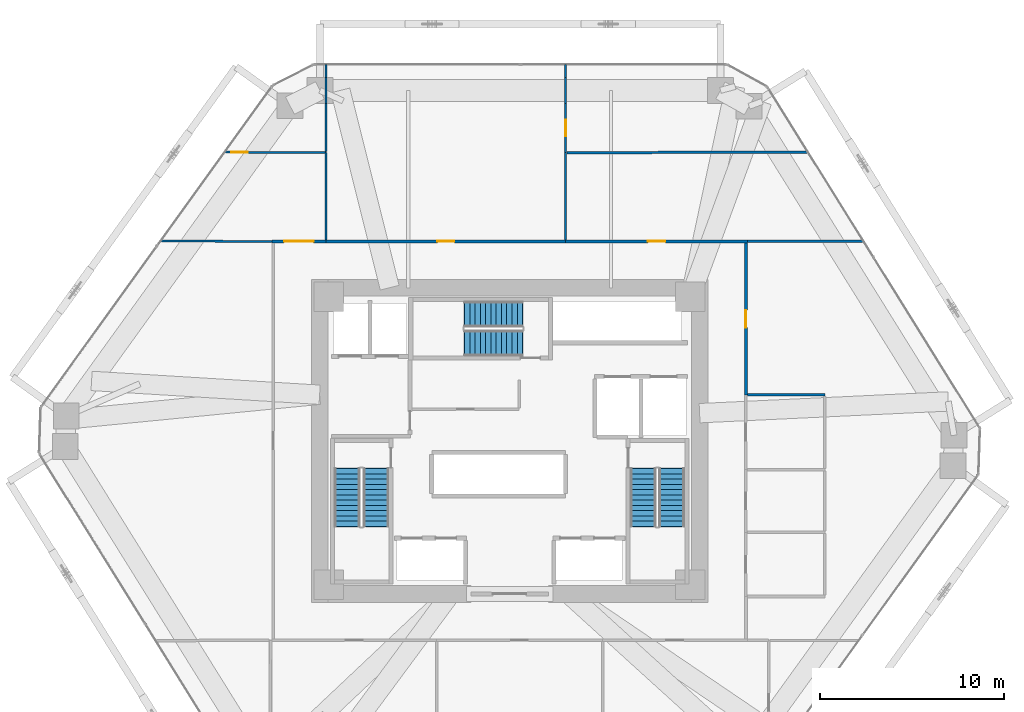
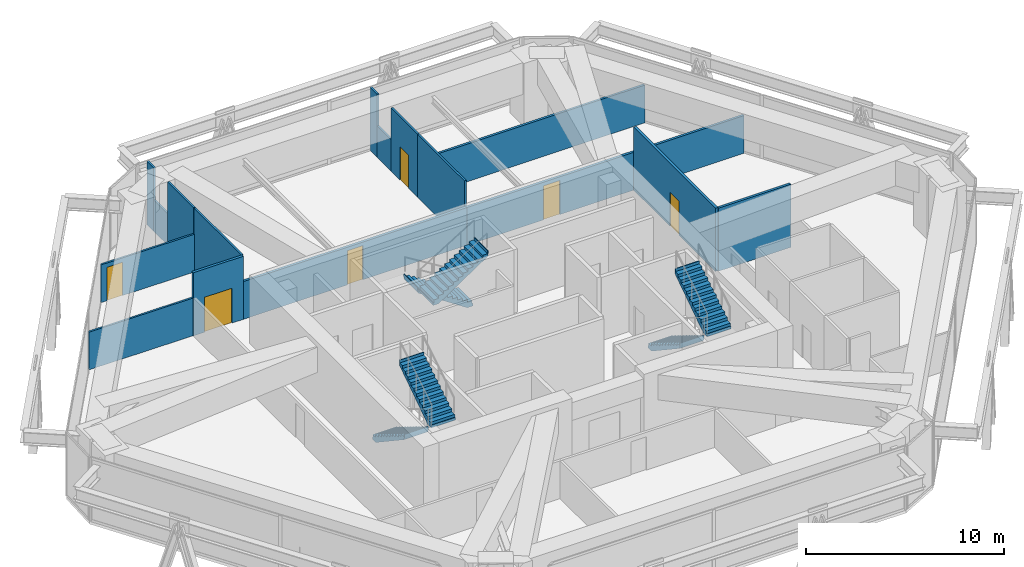
# One storey, part 15 of 16: 17 walls, 6 doors, 6 stair flights, 6 openings, 3 elements without a shape of their own.
"""IFC4 building model written with IfcOpenShell, lengths in metres."""

from ifc_helpers import new_model, si_unit, direction, frame, frame_2d, origin, place, context, subcontext, project, spatial, polyline, rectangle, outline, extrude, source, transform, mapped, material, layer, layer_set, type_object, type_shapes, element, fill, aggregate, save


model = new_model("IFC4")

# Units and contexts
model_context = context("Model", 3, precision=1e-05, world=origin(), true_north=direction((0.0, 1.0)))
body_context = subcontext(model_context, "Body", "Model", "MODEL_VIEW")
ifc_project = project(units=[si_unit("LENGTHUNIT", "METRE"), si_unit("AREAUNIT", "SQUARE_METRE"), si_unit("VOLUMEUNIT", "CUBIC_METRE"), si_unit("PLANEANGLEUNIT", "RADIAN"), si_unit("MASSUNIT", "GRAM", prefix="KILO")], contexts=[model_context])

# Site, building, storey
site_placement = place(None, origin())
site = spatial("IfcSite", under=ifc_project, at=site_placement, CompositionType="ELEMENT")
building_placement = place(site_placement, origin())
building = spatial("IfcBuilding", under=site, at=building_placement, Name="Durnholm Broadcast Tower", CompositionType="ELEMENT")
storey_placement = place(building_placement, frame((0.0, 0.0, 84.300048828125)))
storey = spatial("IfcBuildingStorey", under=building, at=storey_placement, Name="L22", CompositionType="ELEMENT", Elevation=84.300048828125)

# Wall, opening, door
ifc_material_1 = material(Name="Operable Acoustic Panel Partition", Category="aluminium")
ifc_layer_1 = layer(ifc_material_1, 0.110107421875)
ifc_layer_set_1 = layer_set([ifc_layer_1], Name="Operable Acoustic Panel Partition")
wall_type_1 = type_object("IfcWallType", Name="WALL-MOV-110", PredefinedType="MOVABLE", material=ifc_layer_set_1)
wall_1_placement = place(storey_placement, frame((-15.4501953125, 15.6484375, 0.0), z_axis=(0.0, 0.0, 1.0), x_axis=(0.999990888186, -0.004268904539, 0.0)))
wall_1 = element("IfcWall", 1, at=wall_1_placement, inside=storey, type_object=wall_type_1, Name="L22 room dividing partition 5.6", PredefinedType="MOVABLE", context=body_context, shape_type="SweptSolid", body=[
    extrude(rectangle(XDim=5.490234375, YDim=0.110107421875, at=frame_2d((2.7451171875, 0.0))), origin(), (0.0, 0.0, 1.0), 2.320068359375),
])
opening_1_placement = place(wall_1_placement, frame((0.35009765625, 0.0, 0.0)))
opening_1 = element("IfcOpeningElement", 2, at=opening_1_placement, cuts=wall_1, Name="Opening DW-90L", PredefinedType="OPENING", context=body_context, shape_type="SweptSolid", body=[
    extrude(rectangle(XDim=0.89990234375, YDim=2.050048828125, at=frame_2d((0.449951171875, 1.02490234375))), frame((0.0, 0.06494140625, 0.0), z_axis=(0.0, -1.0, 0.0), x_axis=(1.0, 0.0, 0.0)), (0.0, 0.0, 1.0), 0.130126953125),
])
ifc_material_2 = material(Name="Laminate Restroom Door", Category="steel")
ifc_layer_2 = layer(ifc_material_2, 0.050048828125)
ifc_layer_set_2 = layer_set([ifc_layer_2], Name="Laminate Restroom Door")
door_type_1 = type_object("IfcDoorType", Name="DOOR-WC-900L", OperationType="NOTDEFINED", PredefinedType="DOOR", material=ifc_layer_set_2)
shared_shape_1 = source(origin(), body_context, "Body", "SweptSolid", [
    extrude(rectangle(XDim=0.89990234375, YDim=2.050048828125, at=frame_2d((0.449951171875, 1.02490234375))), frame((0.0, 0.02490234375, 0.0), z_axis=(0.0, -1.0, 0.0), x_axis=(1.0, 0.0, 0.0)), (0.0, 0.0, 1.0), 0.050048828125),
])
type_shapes(door_type_1, [shared_shape_1])
door_1_placement = place(opening_1_placement, origin())
door_1 = element("IfcDoor", 3, at=door_1_placement, inside=storey, type_object=door_type_1, Name="L22 Remote Feed Meeting Room connecting door", OperationType="SINGLE_SWING_LEFT", OverallHeight=2.050048828125, OverallWidth=0.89990234375, PredefinedType="DOOR", context=body_context, shape_type="MappedRepresentation", body=[
    mapped(shared_shape_1, transform((0.0, 0.0, 0.0), x_axis=(1.0, 0.0, 0.0), y_axis=(0.0, 1.0, 0.0), z_axis=(0.0, 0.0, 1.0), scale=1.0)),
])
fill(opening_1, door_1)

# Walls
wall_2_placement = place(storey_placement, frame((-9.9599609375, 15.625, 0.0), z_axis=(0.0, 0.0, 1.0), x_axis=(0.0, -1.0, 0.0)))
element("IfcWall", 4, at=wall_2_placement, inside=storey, type_object=wall_type_1, Name="L22 room dividing partition 5.7", PredefinedType="MOVABLE", context=body_context, shape_type="SweptSolid", body=[
    extrude(rectangle(XDim=4.736083984375, YDim=0.110107421875, at=frame_2d((2.3681640625, 0.0))), origin(), (0.0, 0.0, 1.0), 3.885009765625),
])
wall_3_placement = place(storey_placement, frame((-12.889892578125, 10.810302734375, 0.0), z_axis=(0.0, 0.0, 1.0), x_axis=(-0.999992607823, 0.003845035728, 0.0)))
element("IfcWall", 5, at=wall_3_placement, inside=storey, type_object=wall_type_1, Name="L22 room dividing partition 5.15", PredefinedType="MOVABLE", context=body_context, shape_type="SweptSolid", body=[
    extrude(rectangle(XDim=6.031982421875, YDim=0.110107421875, at=frame_2d((3.01611328125, 0.0))), origin(), (0.0, 0.0, 1.0), 2.320068359375),
])
wall_4_placement = place(storey_placement, frame((-9.9599609375, 20.39990234375, 0.0), z_axis=(0.0, 0.0, 1.0), x_axis=(0.0, -1.0, 0.0)))
element("IfcWall", 6, at=wall_4_placement, inside=storey, type_object=wall_type_1, Name="L22 room dividing partition 6.7", PredefinedType="MOVABLE", context=body_context, shape_type="SweptSolid", body=[
    extrude(rectangle(XDim=0.699951171875, YDim=0.110107421875, at=frame_2d((0.35009765625, 0.0))), origin(), (0.0, 0.0, 1.0), 3.885009765625),
])
wall_5_placement = place(storey_placement, frame((-9.9599609375, 18.300048828125, 0.0), z_axis=(0.0, 0.0, 1.0), x_axis=(0.0, -1.0, 0.0)))
element("IfcWall", 7, at=wall_5_placement, inside=storey, type_object=wall_type_1, Name="L22 room dividing partition 6.7", PredefinedType="MOVABLE", context=body_context, shape_type="SweptSolid", body=[
    extrude(rectangle(XDim=2.615966796875, YDim=0.110107421875, at=frame_2d((1.30810546875, 0.0))), origin(), (0.0, 0.0, 1.0), 3.885009765625),
])
wall_6_placement = place(storey_placement, frame((-9.9599609375, 19.699951171875, 0.0), z_axis=(0.0, 0.0, 1.0), x_axis=(0.0, -1.0, 0.0)))
element("IfcWall", 8, at=wall_6_placement, inside=storey, type_object=wall_type_1, Name="L22 room dividing partition 6.7", PredefinedType="MOVABLE", context=body_context, shape_type="SweptSolid", body=[
    extrude(rectangle(XDim=1.39990234375, YDim=0.110107421875, at=frame_2d((0.699951171875, 0.0))), origin(), (0.0, 0.0, 1.0), 1.919921875),
])
wall_7_placement = place(storey_placement, frame((3.0400390625, 15.625, 0.0), z_axis=(0.0, 0.0, 1.0), x_axis=(0.0, -1.0, 0.0)))
element("IfcWall", 9, at=wall_7_placement, inside=storey, type_object=wall_type_1, Name="L22 room dividing partition 7.8", PredefinedType="MOVABLE", context=body_context, shape_type="SweptSolid", body=[
    extrude(rectangle(XDim=4.736083984375, YDim=0.110107421875, at=frame_2d((2.3681640625, 0.0))), origin(), (0.0, 0.0, 1.0), 3.885009765625),
])
wall_8_placement = place(storey_placement, frame((3.0400390625, 20.39990234375, 0.0), z_axis=(0.0, 0.0, 1.0), x_axis=(0.0, -1.0, 0.0)))
element("IfcWall", 10, at=wall_8_placement, inside=storey, type_object=wall_type_1, Name="L22 room dividing partition 7.9", PredefinedType="MOVABLE", context=body_context, shape_type="SweptSolid", body=[
    extrude(rectangle(XDim=0.699951171875, YDim=0.110107421875, at=frame_2d((0.35009765625, 0.0))), origin(), (0.0, 0.0, 1.0), 3.885009765625),
])

# Wall, opening, door
wall_9_placement = place(storey_placement, frame((3.0400390625, 18.300048828125, 0.0), z_axis=(0.0, 0.0, 1.0), x_axis=(0.0, -1.0, 0.0)))
wall_9 = element("IfcWall", 11, at=wall_9_placement, inside=storey, type_object=wall_type_1, Name="L22 room dividing partition 7.9", PredefinedType="MOVABLE", context=body_context, shape_type="SweptSolid", body=[
    extrude(rectangle(XDim=2.675048828125, YDim=0.110107421875, at=frame_2d((1.33740234375, 0.0))), origin(), (0.0, 0.0, 1.0), 3.885009765625),
])
opening_2_placement = place(wall_9_placement, frame((0.887451171875, 0.0, 0.0)))
opening_2 = element("IfcOpeningElement", 12, at=opening_2_placement, cuts=wall_9, Name="Opening DW-90L", PredefinedType="OPENING", context=body_context, shape_type="SweptSolid", body=[
    extrude(rectangle(XDim=0.89990234375, YDim=2.050048828125, at=frame_2d((0.449951171875, 1.02490234375))), frame((0.0, 0.06494140625, 0.0), z_axis=(0.0, -1.0, 0.0), x_axis=(1.0, 0.0, 0.0)), (0.0, 0.0, 1.0), 0.130126953125),
])
door_2_placement = place(opening_2_placement, origin())
door_2 = element("IfcDoor", 13, at=door_2_placement, inside=storey, type_object=door_type_1, Name="L22 Bureau Kitchen connecting door", OperationType="SINGLE_SWING_LEFT", OverallHeight=2.050048828125, OverallWidth=0.89990234375, PredefinedType="DOOR", context=body_context, shape_type="MappedRepresentation", body=[
    mapped(shared_shape_1, transform((0.0, 0.0, 0.0), x_axis=(1.0, 0.0, 0.0), y_axis=(0.0, 1.0, 0.0), z_axis=(0.0, 0.0, 1.0), scale=1.0)),
])
fill(opening_2, door_2)

# Walls
wall_10_placement = place(storey_placement, frame((3.0400390625, 19.699951171875, 0.0), z_axis=(0.0, 0.0, 1.0), x_axis=(0.0, -1.0, 0.0)))
element("IfcWall", 14, at=wall_10_placement, inside=storey, type_object=wall_type_1, Name="L22 room dividing partition 7.9", PredefinedType="MOVABLE", context=body_context, shape_type="SweptSolid", body=[
    extrude(rectangle(XDim=1.39990234375, YDim=0.110107421875, at=frame_2d((0.699951171875, 0.0))), origin(), (0.0, 0.0, 1.0), 1.919921875),
])
ifc_material_3 = material(Name="Gypsum Metal Stud Partition", Category="concrete")
ifc_layer_3 = layer(ifc_material_3, 0.135009765625)
ifc_layer_set_3 = layer_set([ifc_layer_3], Name="Gypsum Metal Stud Partition")
wall_type_2 = type_object("IfcWallType", Name="WALL-PART-135", PredefinedType="PARTITIONING", material=ifc_layer_set_3)
wall_11_placement = place(storey_placement, frame((3.09912109375, 15.625244140625, 0.0), z_axis=(0.0, 0.0, 1.0), x_axis=(0.999998742354, 0.001585966846, 0.0)))
element("IfcWall", 15, at=wall_11_placement, inside=storey, type_object=wall_type_2, Name="L22 room dividing partition 8.9", PredefinedType="PARTITIONING", context=body_context, shape_type="SweptSolid", body=[
    extrude(rectangle(XDim=13.084716796875, YDim=0.135009765625, at=frame_2d((6.54248046875, 0.0))), origin(), (0.0, 0.0, 1.0), 2.320068359375),
])
wall_12_placement = place(storey_placement, frame((19.18212890625, 10.831298828125, 0.0), z_axis=(0.0, 0.0, 1.0), x_axis=(-0.999994432845, -0.003336806783, 0.0)))
element("IfcWall", 16, at=wall_12_placement, inside=storey, type_object=wall_type_2, Name="L22 room dividing partition 8.16", PredefinedType="PARTITIONING", context=body_context, shape_type="SweptSolid", body=[
    extrude(rectangle(XDim=6.292236328125, YDim=0.135009765625, at=frame_2d((3.14599609375, 0.0))), origin(), (0.0, 0.0, 1.0), 2.320068359375),
])

# Wall, opening, door
ifc_material_4 = material(Name="Acoustic Gypsum Stud Partition", Category="concrete")
ifc_layer_4 = layer(ifc_material_4, 0.14990234375)
ifc_layer_set_4 = layer_set([ifc_layer_4], Name="Acoustic Gypsum Stud Partition")
wall_type_3 = type_object("IfcWallType", Name="WALL-PART-150", PredefinedType="PARTITIONING", material=ifc_layer_set_4)
wall_13_placement = place(storey_placement, frame((-9.9599609375, 10.81005859375, 0.0), z_axis=(0.0, 0.0, 1.0), x_axis=(-1.0, 0.0, 0.0)))
wall_13 = element("IfcWall", 17, at=wall_13_placement, inside=storey, type_object=wall_type_3, Name="L22 Regional Bureau Hall corridor partition", PredefinedType="PARTITIONING", context=body_context, shape_type="SweptSolid", body=[
    extrude(rectangle(XDim=2.929931640625, YDim=0.14990234375, at=frame_2d((1.46484375, 0.0))), origin(), (0.0, 0.0, 1.0), 3.885009765625),
])
opening_3_placement = place(wall_13_placement, frame((0.6650390625, 0.0, 0.0)))
opening_3 = element("IfcOpeningElement", 18, at=opening_3_placement, cuts=wall_13, Name="Opening DST-160", PredefinedType="OPENING", context=body_context, shape_type="SweptSolid", body=[
    extrude(rectangle(XDim=1.60009765625, YDim=2.14990234375, at=frame_2d((0.800048828125, 1.074951171875))), frame((0.0, 0.0849609375, 0.0), z_axis=(0.0, -1.0, 0.0), x_axis=(1.0, 0.0, 0.0)), (0.0, 0.0, 1.0), 0.169921875),
])
ifc_material_5 = material(Name="Acoustic Broadcast Studio Sound-Lock Door", Category="steel")
ifc_layer_5 = layer(ifc_material_5, 0.050048828125)
ifc_layer_set_5 = layer_set([ifc_layer_5], Name="Acoustic Broadcast Studio Sound-Lock Door")
door_type_2 = type_object("IfcDoorType", Name="DOOR-STU-1600", OperationType="DOUBLE_DOOR_SINGLE_SWING", PredefinedType="DOOR", material=ifc_layer_set_5)
shared_shape_2 = source(origin(), body_context, "Body", "SweptSolid", [
    extrude(rectangle(XDim=1.60009765625, YDim=2.14990234375, at=frame_2d((0.800048828125, 1.074951171875))), frame((0.0, 0.02490234375, 0.0), z_axis=(0.0, -1.0, 0.0), x_axis=(1.0, 0.0, 0.0)), (0.0, 0.0, 1.0), 0.050048828125),
])
type_shapes(door_type_2, [shared_shape_2])
door_3_placement = place(opening_3_placement, origin())
door_3 = element("IfcDoor", 19, at=door_3_placement, inside=storey, type_object=door_type_2, Name="L22 Regional Bureau Hall entrance door", OperationType="DOUBLE_DOOR_SINGLE_SWING", OverallHeight=2.14990234375, OverallWidth=1.60009765625, PredefinedType="DOOR", context=body_context, shape_type="MappedRepresentation", body=[
    mapped(shared_shape_2, transform((0.0, 0.0, 0.0), x_axis=(1.0, 0.0, 0.0), y_axis=(0.0, 1.0, 0.0), z_axis=(0.0, 0.0, 1.0), scale=1.0)),
])
fill(opening_3, door_3)

wall_14_placement = place(storey_placement, frame((3.0400390625, 10.81005859375, 0.0), z_axis=(0.0, 0.0, 1.0), x_axis=(-1.0, 0.0, 0.0)))
wall_14 = element("IfcWall", 20, at=wall_14_placement, inside=storey, type_object=wall_type_3, Name="L22 Bureau Meeting Room corridor partition", PredefinedType="PARTITIONING", context=body_context, shape_type="SweptSolid", body=[
    extrude(rectangle(XDim=13.0, YDim=0.14990234375, at=frame_2d((6.5, 0.0))), origin(), (0.0, 0.0, 1.0), 2.320068359375),
])
opening_4_placement = place(wall_14_placement, frame((6.0400390625, 0.0, 0.0)))
opening_4 = element("IfcOpeningElement", 21, at=opening_4_placement, cuts=wall_14, Name="Opening DR-92L", PredefinedType="OPENING", context=body_context, shape_type="SweptSolid", body=[
    extrude(rectangle(XDim=0.919921875, YDim=2.10009765625, at=frame_2d((0.4599609375, 1.050048828125))), frame((0.0, 0.0849609375, 0.0), z_axis=(0.0, -1.0, 0.0), x_axis=(1.0, 0.0, 0.0)), (0.0, 0.0, 1.0), 0.169921875),
])
ifc_material_6 = material(Name="Oak Veneer Office Door", Category="wood")
ifc_layer_6 = layer(ifc_material_6, 0.050048828125)
ifc_layer_set_6 = layer_set([ifc_layer_6], Name="Oak Veneer Office Door")
door_type_3 = type_object("IfcDoorType", Name="DOOR-RM-920L", OperationType="NOTDEFINED", PredefinedType="DOOR", material=ifc_layer_set_6)
shared_shape_3 = source(origin(), body_context, "Body", "SweptSolid", [
    extrude(rectangle(XDim=0.919921875, YDim=2.10009765625, at=frame_2d((0.4599609375, 1.050048828125))), frame((0.0, 0.02490234375, 0.0), z_axis=(0.0, -1.0, 0.0), x_axis=(1.0, 0.0, 0.0)), (0.0, 0.0, 1.0), 0.050048828125),
])
type_shapes(door_type_3, [shared_shape_3])
door_4_placement = place(opening_4_placement, origin())
door_4 = element("IfcDoor", 22, at=door_4_placement, inside=storey, type_object=door_type_3, Name="L22 Bureau Meeting Room entrance door", OperationType="SINGLE_SWING_LEFT", OverallHeight=2.10009765625, OverallWidth=0.919921875, PredefinedType="DOOR", context=body_context, shape_type="MappedRepresentation", body=[
    mapped(shared_shape_3, transform((0.0, 0.0, 0.0), x_axis=(1.0, 0.0, 0.0), y_axis=(0.0, 1.0, 0.0), z_axis=(0.0, 0.0, 1.0), scale=1.0)),
])
fill(opening_4, door_4)

wall_15_placement = place(storey_placement, frame((12.889892578125, 10.81005859375, 0.0), z_axis=(0.0, 0.0, 1.0), x_axis=(-1.0, 0.0, 0.0)))
wall_15 = element("IfcWall", 23, at=wall_15_placement, inside=storey, type_object=wall_type_3, Name="L22 Press Lounge corridor partition", PredefinedType="PARTITIONING", context=body_context, shape_type="SweptSolid", body=[
    extrude(rectangle(XDim=9.849853515625, YDim=0.14990234375, at=frame_2d((4.9248046875, 0.0))), origin(), (0.0, 0.0, 1.0), 2.320068359375),
])
opening_5_placement = place(wall_15_placement, frame((4.449951171875, 0.0, 0.0)))
opening_5 = element("IfcOpeningElement", 24, at=opening_5_placement, cuts=wall_15, Name="Opening DR-95R", PredefinedType="OPENING", context=body_context, shape_type="SweptSolid", body=[
    extrude(rectangle(XDim=0.949951171875, YDim=2.10009765625, at=frame_2d((0.47509765625, 1.050048828125))), frame((0.0, 0.0849609375, 0.0), z_axis=(0.0, -1.0, 0.0), x_axis=(1.0, 0.0, 0.0)), (0.0, 0.0, 1.0), 0.169921875),
])
ifc_material_7 = material(Name="Acoustic Oak Veneer Timber Door", Category="wood")
ifc_layer_7 = layer(ifc_material_7, 0.050048828125)
ifc_layer_set_7 = layer_set([ifc_layer_7], Name="Acoustic Oak Veneer Timber Door")
door_type_4 = type_object("IfcDoorType", Name="DOOR-RM-950R", OperationType="NOTDEFINED", PredefinedType="DOOR", material=ifc_layer_set_7)
shared_shape_4 = source(origin(), body_context, "Body", "SweptSolid", [
    extrude(rectangle(XDim=0.949951171875, YDim=2.10009765625, at=frame_2d((0.47509765625, 1.050048828125))), frame((0.0, 0.02490234375, 0.0), z_axis=(0.0, -1.0, 0.0), x_axis=(1.0, 0.0, 0.0)), (0.0, 0.0, 1.0), 0.050048828125),
])
type_shapes(door_type_4, [shared_shape_4])
door_5_placement = place(opening_5_placement, origin())
door_5 = element("IfcDoor", 25, at=door_5_placement, inside=storey, type_object=door_type_4, Name="L22 Press Lounge entrance door", OperationType="SINGLE_SWING_RIGHT", OverallHeight=2.10009765625, OverallWidth=0.949951171875, PredefinedType="DOOR", context=body_context, shape_type="MappedRepresentation", body=[
    mapped(shared_shape_4, transform((0.0, 0.0, 0.0), x_axis=(1.0, 0.0, 0.0), y_axis=(0.0, 1.0, 0.0), z_axis=(0.0, 0.0, 1.0), scale=1.0)),
])
fill(opening_5, door_5)

wall_16_placement = place(storey_placement, frame((12.81005859375, 2.489990234375, 0.0), z_axis=(0.0, 0.0, 1.0), x_axis=(0.0, 1.0, 0.0)))
wall_16 = element("IfcWall", 26, at=wall_16_placement, inside=storey, type_object=wall_type_3, Name="L22 Press Lounge corridor partition", PredefinedType="PARTITIONING", context=body_context, shape_type="SweptSolid", body=[
    extrude(rectangle(XDim=8.240966796875, YDim=0.14990234375, at=frame_2d((4.12060546875, 0.0))), origin(), (0.0, 0.0, 1.0), 3.885009765625),
])
opening_6_placement = place(wall_16_placement, frame((3.6455078125, 0.0, 0.0)))
opening_6 = element("IfcOpeningElement", 27, at=opening_6_placement, cuts=wall_16, Name="Opening DR-95L", PredefinedType="OPENING", context=body_context, shape_type="SweptSolid", body=[
    extrude(rectangle(XDim=0.949951171875, YDim=2.10009765625, at=frame_2d((0.47509765625, 1.050048828125))), frame((0.0, 0.0849609375, 0.0), z_axis=(0.0, -1.0, 0.0), x_axis=(1.0, 0.0, 0.0)), (0.0, 0.0, 1.0), 0.169921875),
])
ifc_layer_8 = layer(ifc_material_7, 0.050048828125)
ifc_layer_set_8 = layer_set([ifc_layer_8], Name="Acoustic Oak Veneer Timber Door")
door_type_5 = type_object("IfcDoorType", Name="DOOR-RM-950L", OperationType="NOTDEFINED", PredefinedType="DOOR", material=ifc_layer_set_8)
shared_shape_5 = source(origin(), body_context, "Body", "SweptSolid", [
    extrude(rectangle(XDim=0.949951171875, YDim=2.10009765625, at=frame_2d((0.47509765625, 1.050048828125))), frame((0.0, 0.02490234375, 0.0), z_axis=(0.0, -1.0, 0.0), x_axis=(1.0, 0.0, 0.0)), (0.0, 0.0, 1.0), 0.050048828125),
])
type_shapes(door_type_5, [shared_shape_5])
door_6_placement = place(opening_6_placement, origin())
door_6 = element("IfcDoor", 28, at=door_6_placement, inside=storey, type_object=door_type_5, Name="L22 Press Lounge entrance door", OperationType="SINGLE_SWING_LEFT", OverallHeight=2.10009765625, OverallWidth=0.949951171875, PredefinedType="DOOR", context=body_context, shape_type="MappedRepresentation", body=[
    mapped(shared_shape_5, transform((0.0, 0.0, 0.0), x_axis=(1.0, 0.0, 0.0), y_axis=(0.0, 1.0, 0.0), z_axis=(0.0, 0.0, 1.0), scale=1.0)),
])
fill(opening_6, door_6)

# Wall
ifc_material_8 = material(Name="Moisture-Resistant Tile Partition", Category="concrete")
ifc_layer_9 = layer(ifc_material_8, 0.139892578125)
ifc_layer_set_9 = layer_set([ifc_layer_9], Name="Moisture-Resistant Tile Partition")
wall_type_4 = type_object("IfcWallType", Name="WALL-WC-140", PredefinedType="PARTITIONING", material=ifc_layer_set_9)
wall_17_placement = place(storey_placement, frame((12.888916015625, 2.489990234375, 0.0), z_axis=(0.0, 0.0, 1.0), x_axis=(1.0, 0.0, 0.0)))
element("IfcWall", 29, at=wall_17_placement, inside=storey, type_object=wall_type_4, Name="L22 room dividing partition 4.16", PredefinedType="PARTITIONING", context=body_context, shape_type="SweptSolid", body=[
    extrude(rectangle(XDim=4.201171875, YDim=0.139892578125, at=frame_2d((2.1005859375, 0.0))), origin(), (0.0, 0.0, 1.0), 3.885009765625),
])

# Stair, stair flights
ifc_material_9 = material(Name="Concrete C50/60", Category="concrete")
stair_type = type_object("IfcStairType", Name="STAIR-DL-24R1750", PredefinedType="HALF_TURN_STAIR", material=ifc_material_9)
stair_1_placement = place(storey_placement, origin())
stair_1 = element("IfcStair", 30, at=stair_1_placement, inside=storey, type_object=stair_type, Name="L22 ST-1", PredefinedType="HALF_TURN_STAIR")
stair_flight_type = type_object("IfcStairFlightType", Name="FLIGHT-DL-24R1750", PredefinedType="STRAIGHT", material=ifc_material_9)
stair_flight_1_placement = place(storey_placement, frame((-8.800048828125, -1.5, 0.0), z_axis=(0.0, 0.0, 1.0), x_axis=(0.0, -1.0, 0.0)))
stair_flight_1 = element("IfcStairFlight", 31, at=stair_flight_1_placement, type_object=stair_flight_type, Name="ST-1 flight 1", NumberOfRisers=12, NumberOfTreads=11, PredefinedType="STRAIGHT", RiserHeight=0.175, TreadLength=0.285, context=body_context, shape_type="SweptSolid", body=[
    extrude(outline(polyline([(-0.0400390625, -0.14990234375), (-0.0400390625, 0.0), (0.0, 0.0), (0.0, 0.175048828125), (0.284912109375, 0.175048828125), (0.284912109375, 0.35009765625), (0.570068359375, 0.35009765625), (0.570068359375, 0.52490234375), (0.85498046875, 0.52490234375), (0.85498046875, 0.699951171875), (1.139892578125, 0.699951171875), (1.139892578125, 0.875), (1.425048828125, 0.875), (1.425048828125, 1.050048828125), (1.7099609375, 1.050048828125), (1.7099609375, 1.22509765625), (1.9951171875, 1.22509765625), (1.9951171875, 1.39990234375), (2.280029296875, 1.39990234375), (2.280029296875, 1.574951171875), (2.56494140625, 1.574951171875), (2.56494140625, 1.75), (2.85009765625, 1.75), (2.85009765625, 1.925048828125), (3.135009765625, 1.925048828125), (3.135009765625, 2.10009765625), (3.175048828125, 2.10009765625), (3.175048828125, 1.9501953125), (3.135009765625, 1.7490234375), (0.286376953125, -0.14990234375), (-0.0400390625, -0.14990234375)])), frame((0.0, 0.699951171875, 0.0), z_axis=(0.0, -1.0, 0.0), x_axis=(1.0, 0.0, 0.0)), (0.0, 0.0, 1.0), 1.39990234375),
])
stair_flight_2_placement = place(storey_placement, frame((-7.239990234375, -4.635009765625, 2.099853515625), z_axis=(0.0, 0.0, 1.0), x_axis=(0.0, 1.0, 0.0)))
stair_flight_2 = element("IfcStairFlight", 32, at=stair_flight_2_placement, type_object=stair_flight_type, Name="ST-1 flight 2", NumberOfRisers=12, NumberOfTreads=11, PredefinedType="STRAIGHT", RiserHeight=0.175, TreadLength=0.285, context=body_context, shape_type="SweptSolid", body=[
    extrude(outline(polyline([(-0.0400390625, -0.14990234375), (-0.0400390625, 0.0), (0.0, 0.0), (0.0, 0.175048828125), (0.284912109375, 0.175048828125), (0.284912109375, 0.35009765625), (0.570068359375, 0.35009765625), (0.570068359375, 0.52490234375), (0.85498046875, 0.52490234375), (0.85498046875, 0.699951171875), (1.139892578125, 0.699951171875), (1.139892578125, 0.875), (1.425048828125, 0.875), (1.425048828125, 1.050048828125), (1.7099609375, 1.050048828125), (1.7099609375, 1.22509765625), (1.9951171875, 1.22509765625), (1.9951171875, 1.39990234375), (2.280029296875, 1.39990234375), (2.280029296875, 1.574951171875), (2.56494140625, 1.574951171875), (2.56494140625, 1.75), (2.85009765625, 1.75), (2.85009765625, 1.925048828125), (3.135009765625, 1.925048828125), (3.135009765625, 2.10009765625), (3.175048828125, 2.10009765625), (3.175048828125, 1.9501953125), (3.135009765625, 1.7490234375), (0.286376953125, -0.14990234375), (-0.0400390625, -0.14990234375)])), frame((0.0, 0.699951171875, 0.0), z_axis=(0.0, -1.0, 0.0), x_axis=(1.0, 0.0, 0.0)), (0.0, 0.0, 1.0), 1.39990234375),
])
aggregate(stair_1, [stair_flight_1, stair_flight_2])

stair_2_placement = place(storey_placement, origin())
stair_2 = element("IfcStair", 33, at=stair_2_placement, inside=storey, type_object=stair_type, Name="L22 ST-2", PredefinedType="HALF_TURN_STAIR")
stair_flight_3_placement = place(storey_placement, frame((7.239990234375, -1.5, 0.0), z_axis=(0.0, 0.0, 1.0), x_axis=(0.0, -1.0, 0.0)))
stair_flight_3 = element("IfcStairFlight", 34, at=stair_flight_3_placement, type_object=stair_flight_type, Name="ST-2 flight 1", NumberOfRisers=12, NumberOfTreads=11, PredefinedType="STRAIGHT", RiserHeight=0.175, TreadLength=0.285, context=body_context, shape_type="SweptSolid", body=[
    extrude(outline(polyline([(-0.0400390625, -0.14990234375), (-0.0400390625, 0.0), (0.0, 0.0), (0.0, 0.175048828125), (0.284912109375, 0.175048828125), (0.284912109375, 0.35009765625), (0.570068359375, 0.35009765625), (0.570068359375, 0.52490234375), (0.85498046875, 0.52490234375), (0.85498046875, 0.699951171875), (1.139892578125, 0.699951171875), (1.139892578125, 0.875), (1.425048828125, 0.875), (1.425048828125, 1.050048828125), (1.7099609375, 1.050048828125), (1.7099609375, 1.22509765625), (1.9951171875, 1.22509765625), (1.9951171875, 1.39990234375), (2.280029296875, 1.39990234375), (2.280029296875, 1.574951171875), (2.56494140625, 1.574951171875), (2.56494140625, 1.75), (2.85009765625, 1.75), (2.85009765625, 1.925048828125), (3.135009765625, 1.925048828125), (3.135009765625, 2.10009765625), (3.175048828125, 2.10009765625), (3.175048828125, 1.9501953125), (3.135009765625, 1.7490234375), (0.286376953125, -0.14990234375), (-0.0400390625, -0.14990234375)])), frame((0.0, 0.699951171875, 0.0), z_axis=(0.0, -1.0, 0.0), x_axis=(1.0, 0.0, 0.0)), (0.0, 0.0, 1.0), 1.39990234375),
])
stair_flight_4_placement = place(storey_placement, frame((8.800048828125, -4.635009765625, 2.099853515625), z_axis=(0.0, 0.0, 1.0), x_axis=(0.0, 1.0, 0.0)))
stair_flight_4 = element("IfcStairFlight", 35, at=stair_flight_4_placement, type_object=stair_flight_type, Name="ST-2 flight 2", NumberOfRisers=12, NumberOfTreads=11, PredefinedType="STRAIGHT", RiserHeight=0.175, TreadLength=0.285, context=body_context, shape_type="SweptSolid", body=[
    extrude(outline(polyline([(-0.0400390625, -0.14990234375), (-0.0400390625, 0.0), (0.0, 0.0), (0.0, 0.175048828125), (0.284912109375, 0.175048828125), (0.284912109375, 0.35009765625), (0.570068359375, 0.35009765625), (0.570068359375, 0.52490234375), (0.85498046875, 0.52490234375), (0.85498046875, 0.699951171875), (1.139892578125, 0.699951171875), (1.139892578125, 0.875), (1.425048828125, 0.875), (1.425048828125, 1.050048828125), (1.7099609375, 1.050048828125), (1.7099609375, 1.22509765625), (1.9951171875, 1.22509765625), (1.9951171875, 1.39990234375), (2.280029296875, 1.39990234375), (2.280029296875, 1.574951171875), (2.56494140625, 1.574951171875), (2.56494140625, 1.75), (2.85009765625, 1.75), (2.85009765625, 1.925048828125), (3.135009765625, 1.925048828125), (3.135009765625, 2.10009765625), (3.175048828125, 2.10009765625), (3.175048828125, 1.9501953125), (3.135009765625, 1.7490234375), (0.286376953125, -0.14990234375), (-0.0400390625, -0.14990234375)])), frame((0.0, 0.699951171875, 0.0), z_axis=(0.0, -1.0, 0.0), x_axis=(1.0, 0.0, 0.0)), (0.0, 0.0, 1.0), 1.39990234375),
])
aggregate(stair_2, [stair_flight_3, stair_flight_4])

stair_3_placement = place(storey_placement, origin())
stair_3 = element("IfcStair", 36, at=stair_3_placement, inside=storey, type_object=stair_type, Name="L22 ST-3", PredefinedType="HALF_TURN_STAIR")
stair_flight_5_placement = place(storey_placement, frame((0.699951171875, 6.860107421875, 0.0), z_axis=(0.0, 0.0, 1.0), x_axis=(-1.0, 0.0, 0.0)))
stair_flight_5 = element("IfcStairFlight", 37, at=stair_flight_5_placement, type_object=stair_flight_type, Name="ST-3 flight 1", NumberOfRisers=12, NumberOfTreads=11, PredefinedType="STRAIGHT", RiserHeight=0.175, TreadLength=0.285, context=body_context, shape_type="SweptSolid", body=[
    extrude(outline(polyline([(-0.0400390625, -0.14990234375), (-0.0400390625, 0.0), (0.0, 0.0), (0.0, 0.175048828125), (0.284912109375, 0.175048828125), (0.284912109375, 0.35009765625), (0.570068359375, 0.35009765625), (0.570068359375, 0.52490234375), (0.85498046875, 0.52490234375), (0.85498046875, 0.699951171875), (1.139892578125, 0.699951171875), (1.139892578125, 0.875), (1.425048828125, 0.875), (1.425048828125, 1.050048828125), (1.7099609375, 1.050048828125), (1.7099609375, 1.22509765625), (1.9951171875, 1.22509765625), (1.9951171875, 1.39990234375), (2.280029296875, 1.39990234375), (2.280029296875, 1.574951171875), (2.56494140625, 1.574951171875), (2.56494140625, 1.75), (2.85009765625, 1.75), (2.85009765625, 1.925048828125), (3.135009765625, 1.925048828125), (3.135009765625, 2.10009765625), (3.175048828125, 2.10009765625), (3.175048828125, 1.9501953125), (3.135009765625, 1.7490234375), (0.286376953125, -0.14990234375), (-0.0400390625, -0.14990234375)])), frame((0.0, 0.699951171875, 0.0), z_axis=(0.0, -1.0, 0.0), x_axis=(1.0, 0.0, 0.0)), (0.0, 0.0, 1.0), 1.39990234375),
])
stair_flight_6_placement = place(storey_placement, frame((-2.43505859375, 5.300048828125, 2.099853515625), z_axis=(0.0, 0.0, 1.0), x_axis=(1.0, 0.0, 0.0)))
stair_flight_6 = element("IfcStairFlight", 38, at=stair_flight_6_placement, type_object=stair_flight_type, Name="ST-3 flight 2", NumberOfRisers=12, NumberOfTreads=11, PredefinedType="STRAIGHT", RiserHeight=0.175, TreadLength=0.285, context=body_context, shape_type="SweptSolid", body=[
    extrude(outline(polyline([(-0.0400390625, -0.14990234375), (-0.0400390625, 0.0), (0.0, 0.0), (0.0, 0.175048828125), (0.284912109375, 0.175048828125), (0.284912109375, 0.35009765625), (0.570068359375, 0.35009765625), (0.570068359375, 0.52490234375), (0.85498046875, 0.52490234375), (0.85498046875, 0.699951171875), (1.139892578125, 0.699951171875), (1.139892578125, 0.875), (1.425048828125, 0.875), (1.425048828125, 1.050048828125), (1.7099609375, 1.050048828125), (1.7099609375, 1.22509765625), (1.9951171875, 1.22509765625), (1.9951171875, 1.39990234375), (2.280029296875, 1.39990234375), (2.280029296875, 1.574951171875), (2.56494140625, 1.574951171875), (2.56494140625, 1.75), (2.85009765625, 1.75), (2.85009765625, 1.925048828125), (3.135009765625, 1.925048828125), (3.135009765625, 2.10009765625), (3.175048828125, 2.10009765625), (3.175048828125, 1.9501953125), (3.135009765625, 1.7490234375), (0.286376953125, -0.14990234375), (-0.0400390625, -0.14990234375)])), frame((0.0, 0.699951171875, 0.0), z_axis=(0.0, -1.0, 0.0), x_axis=(1.0, 0.0, 0.0)), (0.0, 0.0, 1.0), 1.39990234375),
])
aggregate(stair_3, [stair_flight_5, stair_flight_6])

save(model, "model.ifc")
